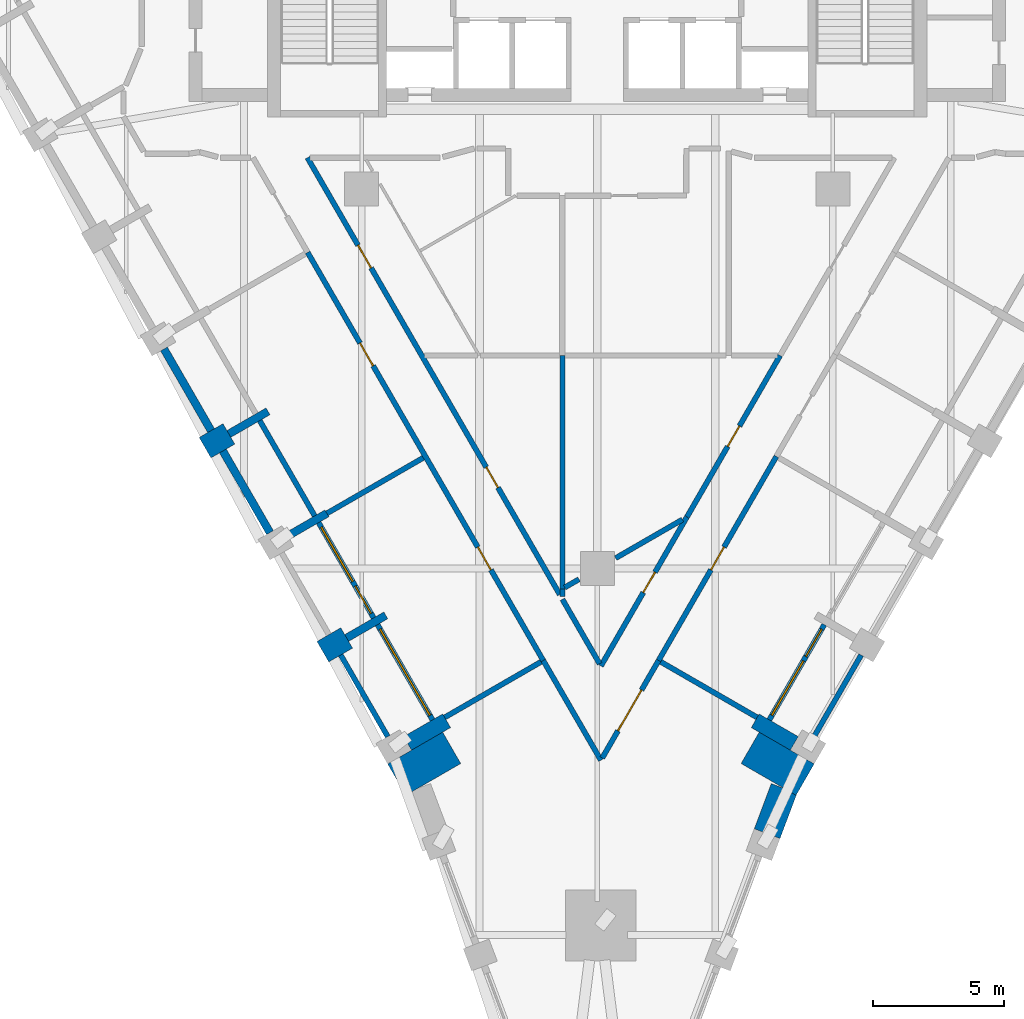
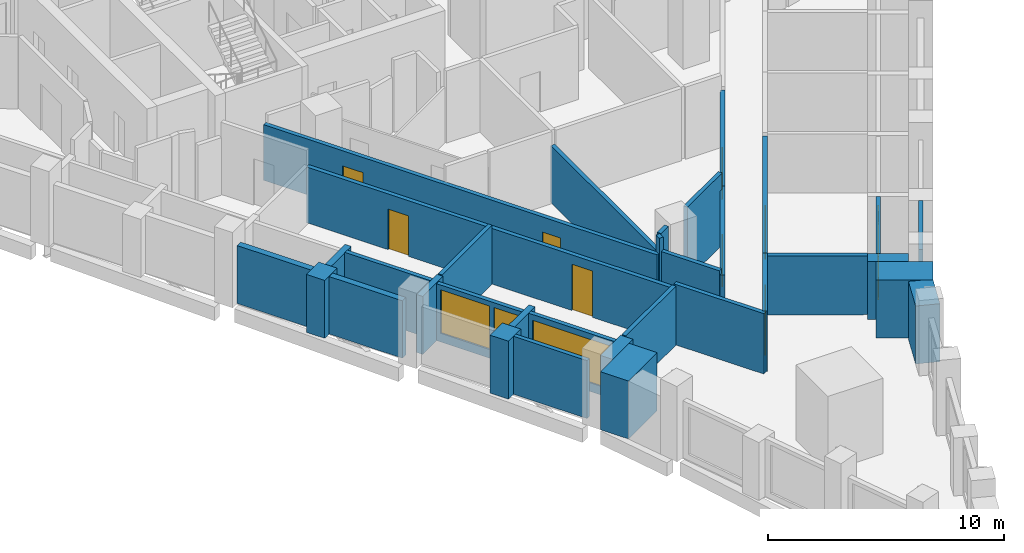
# One storey, part 3 of 10: 33 walls, 10 doors, 3 windows, 13 openings.
"""IFC4 building model written with IfcOpenShell, lengths in metres."""

from ifc_helpers import new_model, si_unit, direction, frame, frame_2d, origin, place, context, subcontext, project, spatial, polyline, rectangle, outline, extrude, material, layer, layer_set, type_object, element, fill, save


model = new_model("IFC4")

# Units and contexts
model_context = context("Model", 3, precision=1e-05, world=origin(), true_north=direction((0.0, 1.0)))
body_context = subcontext(model_context, "Body", "Model", "MODEL_VIEW")
ifc_project = project(units=[si_unit("LENGTHUNIT", "METRE"), si_unit("AREAUNIT", "SQUARE_METRE"), si_unit("VOLUMEUNIT", "CUBIC_METRE"), si_unit("PLANEANGLEUNIT", "RADIAN"), si_unit("MASSUNIT", "GRAM", prefix="KILO")], contexts=[model_context])

# Site, building, storey
site_placement = place(None, origin())
site = spatial("IfcSite", under=ifc_project, at=site_placement, CompositionType="ELEMENT")
building_placement = place(site_placement, origin())
building = spatial("IfcBuilding", under=site, at=building_placement, Name="Calabash Gate Tower", CompositionType="ELEMENT")
storey_placement = place(building_placement, frame((0.0, 0.0, 164.10009765625)))
storey = spatial("IfcBuildingStorey", under=building, at=storey_placement, Name="L38", CompositionType="ELEMENT", Elevation=164.10009765625)

# Walls
ifc_material_1 = material(Name="Terracotta brick masonry, exposed face", Category="masonry")
ifc_layer_1 = layer(ifc_material_1, 2.425048828125)
ifc_layer_set_1 = layer_set([ifc_layer_1], Name="Brick corner mass wall 2425")
wall_type_1 = type_object("IfcWallType", Name="Brick corner mass wall 2425", PredefinedType="SOLIDWALL", material=ifc_layer_set_1)
for number, where, z_axis, x_axis, name in (
    (1, (-5.56298828125, -18.843994140625, 0.0), (0.0, 0.0, 1.0), (-0.865997808697, -0.500047793048, 0.0), "Brick corner pier S10 1"),
    (2, (5.837890625, -18.843994140625, 0.0), (0.0, 0.0, 1.0), (0.865997808697, -0.500047793048, 0.0), "Brick corner pier S10 2"),
):
    element("IfcWall", number, at=place(storey_placement, frame(where, z_axis=z_axis, x_axis=x_axis)), inside=storey, type_object=wall_type_1, Name=name, PredefinedType="SOLIDWALL", context=body_context, shape_type="SweptSolid", body=[
        extrude(rectangle(XDim=2.425048828125, YDim=1.383544921875, at=frame_2d((1.21240234375, 0.0))), origin(), (0.0, 0.0, 1.0), 3.0),
    ])
ifc_material_2 = material(Name="Terracotta brick masonry, exposed face", Category="masonry")
ifc_layer_2 = layer(ifc_material_2, 1.050048828125)
ifc_layer_set_2 = layer_set([ifc_layer_2], Name="Brick end wall 1050")
wall_type_2 = type_object("IfcWallType", Name="Brick end wall 1050", PredefinedType="SOLIDWALL", material=ifc_layer_set_2)
for number, where, z_axis, x_axis, name in (
    (3, (-14.98388671875, -7.37646484375, 0.0), (0.0, 0.0, 1.0), (0.866030680601, 0.499990860175, 0.0), "Brick pier S10 SW0.5"),
    (4, (-10.48388671875, -15.170654296875, 0.0), (0.0, 0.0, 1.0), (0.866030680601, 0.499990860175, 0.0), "Brick pier S10 SW0.7"),
):
    element("IfcWall", number, at=place(storey_placement, frame(where, z_axis=z_axis, x_axis=x_axis)), inside=storey, type_object=wall_type_2, Name=name, PredefinedType="SOLIDWALL", context=body_context, shape_type="SweptSolid", body=[
        extrude(rectangle(XDim=1.0498046875, YDim=0.89990234375, at=frame_2d((0.52490234375, 0.0))), origin(), (0.0, 0.0, 1.0), 3.0),
    ])
wall_1_placement = place(storey_placement, origin())
element("IfcWall", 5, at=wall_1_placement, inside=storey, type_object=wall_type_2, Name="Brick end wall S10 3", PredefinedType="SOLIDWALL", context=body_context, shape_type="SweptSolid", body=[
    extrude(outline(polyline([(6.978759765625, -22.307373046875), (6.978515625, -22.307861328125), (6.978759765625, -22.307861328125), (7.61376953125, -20.618408203125), (7.592041015625, -20.65576171875), (7.137451171875, -20.393310546875), (6.64599609375, -20.20849609375), (5.995849609375, -21.93798828125), (6.978759765625, -22.307373046875)])), origin(), (0.0, 0.0, 1.0), 3.0),
])
ifc_material_3 = material(Name="Terracotta brick masonry, exposed face", Category="masonry")
ifc_layer_3 = layer(ifc_material_3, 0.300048828125)
ifc_layer_set_3 = layer_set([ifc_layer_3], Name="Brick infill panel wall 300")
wall_type_3 = type_object("IfcWallType", Name="Brick infill panel wall 300", PredefinedType="SOLIDWALL", material=ifc_layer_set_3)
wall_2_placement = place(storey_placement, frame((-16.55419921875, -3.6064453125, 0.0), z_axis=(0.0, 0.0, 1.0), x_axis=(0.499931829785, -0.866064758299, 0.0)))
element("IfcWall", 6, at=wall_2_placement, inside=storey, type_object=wall_type_3, Name="Brick panel S10 SW0.5", PredefinedType="SOLIDWALL", context=body_context, shape_type="SweptSolid", body=[
    extrude(rectangle(XDim=3.60009765625, YDim=0.300048828125, at=frame_2d((1.800048828125, 0.0))), origin(), (0.0, 0.0, 1.0), 3.0),
])
wall_3_placement = place(storey_placement, frame((-14.30419921875, -7.503662109375, 0.0), z_axis=(0.0, 0.0, 1.0), x_axis=(0.499961193289, -0.866047807691, 0.0)))
element("IfcWall", 7, at=wall_3_placement, inside=storey, type_object=wall_type_3, Name="Brick panel S10 SW0.6", PredefinedType="SOLIDWALL", context=body_context, shape_type="SweptSolid", body=[
    extrude(rectangle(XDim=3.599853515625, YDim=0.300048828125, at=frame_2d((1.7998046875, 0.0))), origin(), (0.0, 0.0, 1.0), 2.973388671875),
])
ifc_material_4 = material(Name="Terracotta brick masonry, exposed face", Category="masonry")
ifc_layer_4 = layer(ifc_material_4, 0.300048828125)
ifc_layer_set_4 = layer_set([ifc_layer_4], Name="Brick loggia cheek wall 300")
wall_type_4 = type_object("IfcWallType", Name="Brick loggia cheek wall 300", PredefinedType="SOLIDWALL", material=ifc_layer_set_4)
wall_4_placement = place(storey_placement, frame((-14.07470703125, -6.8515625, 0.0), z_axis=(0.0, 0.0, 1.0), x_axis=(0.866013532718, 0.500020560727, 0.0)))
element("IfcWall", 8, at=wall_4_placement, inside=storey, type_object=wall_type_4, Name="Loggia cheek S10 SW0.5", PredefinedType="SOLIDWALL", context=body_context, shape_type="SweptSolid", body=[
    extrude(rectangle(XDim=1.72509765625, YDim=0.300048828125, at=frame_2d((0.862548828125, 0.0))), origin(), (0.0, 0.0, 1.0), 2.973388671875),
])
wall_5_placement = place(storey_placement, frame((-10.330810546875, -9.885986328125, 0.0), z_axis=(0.0, 0.0, 1.0), x_axis=(-0.86597814115, -0.500081852351, 0.0)))
element("IfcWall", 9, at=wall_5_placement, inside=storey, type_object=wall_type_4, Name="Loggia cheek S10 SW0.6", PredefinedType="SOLIDWALL", context=body_context, shape_type="SweptSolid", body=[
    extrude(rectangle(XDim=1.724853515625, YDim=0.300048828125, at=frame_2d((0.8623046875, 0.0))), origin(), (0.0, 0.0, 1.0), 3.0),
])
wall_6_placement = place(storey_placement, frame((-9.57470703125, -14.645751953125, 0.0), z_axis=(0.0, 0.0, 1.0), x_axis=(0.866013532718, 0.500020560727, 0.0)))
element("IfcWall", 10, at=wall_6_placement, inside=storey, type_object=wall_type_4, Name="Loggia cheek S10 SW0.7", PredefinedType="SOLIDWALL", context=body_context, shape_type="SweptSolid", body=[
    extrude(rectangle(XDim=1.72509765625, YDim=0.300048828125, at=frame_2d((0.862548828125, 0.0))), origin(), (0.0, 0.0, 1.0), 3.0),
])
for number, where, z_axis, x_axis, name in (
    (11, (-5.755859375, -17.810302734375, 0.0), (0.0, 0.0, 1.0), (-0.866074815912, -0.499914405916, 0.0), "Loggia cheek S10 SW0.8"),
    (12, (7.524658203125, -18.672607421875, 0.0), (0.0, 0.0, 1.0), (-0.866074815912, 0.499914405916, 0.0), "Loggia cheek S10 SE4.0"),
):
    element("IfcWall", number, at=place(storey_placement, frame(where, z_axis=z_axis, x_axis=x_axis)), inside=storey, type_object=wall_type_4, Name=name, PredefinedType="SOLIDWALL", context=body_context, shape_type="SweptSolid", body=[
        extrude(rectangle(XDim=1.724853515625, YDim=0.60009765625, at=frame_2d((0.8623046875, 0.0))), origin(), (0.0, 0.0, 1.0), 3.0),
    ])
ifc_material_5 = material(Name="Gypsum board on steel studs, mineral wool", Category="steel")
ifc_layer_5 = layer(ifc_material_5, 0.199951171875)
ifc_layer_set_5 = layer_set([ifc_layer_5], Name="Partition 200 gypsum board EI 60")
wall_type_5 = type_object("IfcWallType", Name="Partition 200 gypsum board EI 60", PredefinedType="PARTITIONING", material=ifc_layer_set_5)
wall_7_placement = place(storey_placement, frame((-2.06494140625, -15.506591796875, 0.0), z_axis=(0.0, 0.0, 1.0), x_axis=(0.500349665943, -0.865823429916, 0.0)))
element("IfcWall", 13, at=wall_7_placement, inside=storey, type_object=wall_type_5, Name="Partition", PredefinedType="PARTITIONING", context=body_context, shape_type="SweptSolid", body=[
    extrude(rectangle(XDim=4.402099609375, YDim=0.199951171875, at=frame_2d((2.201171875, 0.0))), origin(), (0.0, 0.0, 1.0), 3.1279296875),
])
wall_8_placement = place(storey_placement, frame((2.424560546875, -15.557373046875, 0.0), z_axis=(0.0, 0.0, 1.0), x_axis=(0.866217148336, -0.499667741532, 0.0)))
element("IfcWall", 14, at=wall_8_placement, inside=storey, type_object=wall_type_5, Name="Partition", PredefinedType="PARTITIONING", context=body_context, shape_type="SweptSolid", body=[
    extrude(rectangle(XDim=4.24951171875, YDim=0.199951171875, at=frame_2d((2.124755859375, 0.0))), origin(), (0.0, 0.0, 1.0), 3.0517578125),
])

# Wall, opening, door
wall_9_placement = place(storey_placement, frame((0.137451171875, -15.71728515625, 0.0), z_axis=(0.0, 0.0, 1.0), x_axis=(0.499742818956, 0.866173836422, 0.0)))
wall_9 = element("IfcWall", 15, at=wall_9_placement, inside=storey, type_object=wall_type_5, Name="Partition", PredefinedType="PARTITIONING", context=body_context, shape_type="SweptSolid", body=[
    extrude(rectangle(XDim=6.57275390625, YDim=0.199951171875, at=frame_2d((3.286376953125, 0.0))), origin(), (0.0, 0.0, 1.0), 2.884033203125),
])
opening_1_placement = place(wall_9_placement, frame((3.23779296875, 0.0, 0.0)))
opening_1 = element("IfcOpeningElement", 16, at=opening_1_placement, cuts=wall_9, Name="Opening 36-38-009", PredefinedType="OPENING", context=body_context, shape_type="SweptSolid", body=[
    extrude(rectangle(XDim=0.89990234375, YDim=2.10009765625, at=frame_2d((0.449951171875, 1.050048828125))), frame((0.0, 0.10986328125, 0.0), z_axis=(0.0, -1.0, 0.0), x_axis=(1.0, 0.0, 0.0)), (0.0, 0.0, 1.0), 0.219970703125),
])
ifc_material_6 = material(Name="Steel fire door set with fire-resisting glazing", Category="steel")
door_type_1 = type_object("IfcDoorType", Name="SD3 Store door 900x2100", OperationType="NOTDEFINED", PredefinedType="DOOR", material=ifc_material_6)
door_1_placement = place(opening_1_placement, origin())
door_1 = element("IfcDoor", 17, at=door_1_placement, inside=storey, type_object=door_type_1, Name="Store door", OperationType="SINGLE_SWING_RIGHT", OverallHeight=2.10009765625, OverallWidth=0.89990234375, PredefinedType="DOOR", context=body_context, shape_type="SweptSolid", body=[
    extrude(rectangle(XDim=0.89990234375, YDim=2.10009765625, at=frame_2d((0.449951171875, 1.050048828125))), frame((0.0, 0.02490234375, 0.0), z_axis=(0.0, -1.0, 0.0), x_axis=(1.0, 0.0, 0.0)), (0.0, 0.0, 1.0), 0.050048828125),
])
fill(opening_1, door_1)

# Wall
wall_10_placement = place(storey_placement, frame((-5.83056640625, -17.6806640625, 0.0), z_axis=(0.0, 0.0, 1.0), x_axis=(0.866217148336, 0.499667741532, 0.0)))
element("IfcWall", 18, at=wall_10_placement, inside=storey, type_object=wall_type_5, Name="Partition", PredefinedType="PARTITIONING", context=body_context, shape_type="SweptSolid", body=[
    extrude(rectangle(XDim=4.24951171875, YDim=0.199951171875, at=frame_2d((2.124755859375, 0.0))), origin(), (0.0, 0.0, 1.0), 3.0517578125),
])

# Wall, openings, doors
wall_11_placement = place(storey_placement, frame((-11.065185546875, 0.082275390625, 0.0), z_axis=(0.0, 0.0, 1.0), x_axis=(0.499996012009, -0.86602770624, 0.0)))
wall_11 = element("IfcWall", 19, at=wall_11_placement, inside=storey, type_object=wall_type_5, Name="Partition", PredefinedType="PARTITIONING", context=body_context, shape_type="SweptSolid", body=[
    extrude(rectangle(XDim=18.000244140625, YDim=0.199951171875, at=frame_2d((9.0, 0.0))), origin(), (0.0, 0.0, 1.0), 2.884033203125),
])
opening_2_placement = place(wall_11_placement, frame((4.0, 0.0, 0.0)))
opening_2 = element("IfcOpeningElement", 20, at=opening_2_placement, cuts=wall_11, Name="Opening 36-38-001", PredefinedType="OPENING", context=body_context, shape_type="SweptSolid", body=[
    extrude(rectangle(XDim=1.0, YDim=2.10009765625, at=frame_2d((0.5, 1.050048828125))), frame((0.0, 0.10986328125, 0.0), z_axis=(0.0, -1.0, 0.0), x_axis=(1.0, 0.0, 0.0)), (0.0, 0.0, 1.0), 0.219970703125),
])
opening_3_placement = place(wall_11_placement, frame((13.000244140625, 0.0, 0.0)))
opening_3 = element("IfcOpeningElement", 21, at=opening_3_placement, cuts=wall_11, Name="Opening 36-38-002", PredefinedType="OPENING", context=body_context, shape_type="SweptSolid", body=[
    extrude(rectangle(XDim=1.0, YDim=2.39990234375, at=frame_2d((0.5, 1.199951171875))), frame((0.0, 0.10986328125, 0.0), z_axis=(0.0, -1.0, 0.0), x_axis=(1.0, 0.0, 0.0)), (0.0, 0.0, 1.0), 0.219970703125),
])
ifc_material_7 = material(Name="Steel fire door set with fire-resisting glazing", Category="steel")
door_type_2 = type_object("IfcDoorType", Name="LD2 Meeting room door 1000x2100", OperationType="NOTDEFINED", PredefinedType="DOOR", material=ifc_material_7)
door_2_placement = place(opening_2_placement, origin())
door_2 = element("IfcDoor", 22, at=door_2_placement, inside=storey, type_object=door_type_2, Name="Meeting room door", OperationType="SINGLE_SWING_LEFT", OverallHeight=2.10009765625, OverallWidth=1.0, PredefinedType="DOOR", context=body_context, shape_type="SweptSolid", body=[
    extrude(rectangle(XDim=1.0, YDim=2.10009765625, at=frame_2d((0.5, 1.050048828125))), frame((0.0, 0.02490234375, 0.0), z_axis=(0.0, -1.0, 0.0), x_axis=(1.0, 0.0, 0.0)), (0.0, 0.0, 1.0), 0.050048828125),
])
fill(opening_2, door_2)
ifc_material_8 = material(Name="Painted timber door", Category="wood")
door_type_3 = type_object("IfcDoorType", Name="OD2 Glazed office door 1000x2400", OperationType="NOTDEFINED", PredefinedType="DOOR", material=ifc_material_8)
door_3_placement = place(opening_3_placement, origin())
door_3 = element("IfcDoor", 23, at=door_3_placement, inside=storey, type_object=door_type_3, Name="Glazed office door", OperationType="SINGLE_SWING_LEFT", OverallHeight=2.39990234375, OverallWidth=1.0, PredefinedType="DOOR", context=body_context, shape_type="SweptSolid", body=[
    extrude(rectangle(XDim=1.0, YDim=2.39990234375, at=frame_2d((0.5, 1.199951171875))), frame((0.0, 0.02490234375, 0.0), z_axis=(0.0, -1.0, 0.0), x_axis=(1.0, 0.0, 0.0)), (0.0, 0.0, 1.0), 0.050048828125),
])
fill(opening_3, door_3)

# Wall, opening, door
wall_12_placement = place(storey_placement, frame((0.187744140625, -19.2314453125, 0.0), z_axis=(0.0, 0.0, 1.0), x_axis=(0.500313526201, 0.865844313662, 0.0)))
wall_12 = element("IfcWall", 24, at=wall_12_placement, inside=storey, type_object=wall_type_5, Name="Partition", PredefinedType="PARTITIONING", context=body_context, shape_type="SweptSolid", body=[
    extrude(rectangle(XDim=4.302001953125, YDim=0.199951171875, at=frame_2d((2.15087890625, 0.0))), origin(), (0.0, 0.0, 1.0), 3.1279296875),
])
opening_4_placement = place(wall_12_placement, frame((1.200927734375, 0.0, 0.0)))
opening_4 = element("IfcOpeningElement", 25, at=opening_4_placement, cuts=wall_12, Name="Opening 36-38-015", PredefinedType="OPENING", context=body_context, shape_type="SweptSolid", body=[
    extrude(rectangle(XDim=1.800048828125, YDim=2.39990234375, at=frame_2d((0.89990234375, 1.199951171875))), frame((0.0, 0.10986328125, 0.0), z_axis=(0.0, -1.0, 0.0), x_axis=(1.0, 0.0, 0.0)), (0.0, 0.0, 1.0), 0.219970703125),
])
ifc_material_9 = material(Name="Steel fire door set with fire-resisting glazing", Category="steel")
door_type_4 = type_object("IfcDoorType", Name="OD5 Open office double door 1800x2400", OperationType="NOTDEFINED", PredefinedType="DOOR", material=ifc_material_9)
door_4_placement = place(opening_4_placement, origin())
door_4 = element("IfcDoor", 26, at=door_4_placement, inside=storey, type_object=door_type_4, Name="Open office double door", OperationType="DOUBLE_DOOR_SINGLE_SWING", OverallHeight=2.39990234375, OverallWidth=1.800048828125, PredefinedType="DOOR", context=body_context, shape_type="SweptSolid", body=[
    extrude(rectangle(XDim=1.800048828125, YDim=2.39990234375, at=frame_2d((0.89990234375, 1.199951171875))), frame((0.0, 0.02490234375, 0.0), z_axis=(0.0, -1.0, 0.0), x_axis=(1.0, 0.0, 0.0)), (0.0, 0.0, 1.0), 0.050048828125),
])
fill(opening_4, door_4)

# Walls
wall_13_placement = place(storey_placement, frame((-1.33349609375, -13.16943359375, 0.0), z_axis=(0.0, 0.0, 1.0), x_axis=(0.499982728352, -0.866035375346, 0.0)))
element("IfcWall", 27, at=wall_13_placement, inside=storey, type_object=wall_type_5, Name="Partition", PredefinedType="PARTITIONING", context=body_context, shape_type="SweptSolid", body=[
    extrude(rectangle(XDim=2.841796875, YDim=0.199951171875, at=frame_2d((1.4208984375, 0.0))), origin(), (0.0, 0.0, 1.0), 3.1279296875),
])
wall_14_placement = place(storey_placement, frame((-1.3330078125, -13.069580078125, 0.0), z_axis=(0.0, 0.0, 1.0), x_axis=(0.004870072116, 0.999988141128, 0.0)))
element("IfcWall", 28, at=wall_14_placement, inside=storey, type_object=wall_type_5, Name="Partition", PredefinedType="PARTITIONING", context=body_context, shape_type="SweptSolid", body=[
    extrude(rectangle(XDim=0.30078125, YDim=0.199951171875, at=frame_2d((0.150390625, 0.0))), origin(), (0.0, 0.0, 1.0), 3.72998046875),
])
wall_15_placement = place(storey_placement, frame((-1.244873046875, -12.716796875, 0.0), z_axis=(0.0, 0.0, 1.0), x_axis=(0.867141243483, 0.498062309205, 0.0)))
element("IfcWall", 29, at=wall_15_placement, inside=storey, type_object=wall_type_5, Name="Partition", PredefinedType="PARTITIONING", context=body_context, shape_type="SweptSolid", body=[
    extrude(rectangle(XDim=0.62841796875, YDim=0.199951171875, at=frame_2d((0.314208984375, 0.0))), origin(), (0.0, 0.0, 1.0), 3.72998046875),
])
wall_16_placement = place(storey_placement, frame((0.699951171875, -11.595703125, 0.0), z_axis=(0.0, 0.0, 1.0), x_axis=(0.866014325049, 0.500019188443, 0.0)))
element("IfcWall", 30, at=wall_16_placement, inside=storey, type_object=wall_type_5, Name="Partition", PredefinedType="PARTITIONING", context=body_context, shape_type="SweptSolid", body=[
    extrude(rectangle(XDim=2.94384765625, YDim=0.199951171875, at=frame_2d((1.471923828125, 0.0))), origin(), (0.0, 0.0, 1.0), 3.72998046875),
])

# Wall, opening, door
wall_17_placement = place(storey_placement, frame((3.425537109375, -10.02197265625, 0.0), z_axis=(0.0, 0.0, 1.0), x_axis=(0.499791742778, 0.866145607765, 0.0)))
wall_17 = element("IfcWall", 31, at=wall_17_placement, inside=storey, type_object=wall_type_5, Name="Partition", PredefinedType="PARTITIONING", context=body_context, shape_type="SweptSolid", body=[
    extrude(rectangle(XDim=7.1171875, YDim=0.199951171875, at=frame_2d((3.55859375, 0.0))), origin(), (0.0, 0.0, 1.0), 2.884033203125),
])
opening_5_placement = place(wall_17_placement, frame((3.110107421875, 0.0, 0.0)))
opening_5 = element("IfcOpeningElement", 32, at=opening_5_placement, cuts=wall_17, Name="Opening 36-38-010", PredefinedType="OPENING", context=body_context, shape_type="SweptSolid", body=[
    extrude(rectangle(XDim=0.89990234375, YDim=2.10009765625, at=frame_2d((0.449951171875, 1.050048828125))), frame((0.0, 0.10986328125, 0.0), z_axis=(0.0, -1.0, 0.0), x_axis=(1.0, 0.0, 0.0)), (0.0, 0.0, 1.0), 0.219970703125),
])
door_5_placement = place(opening_5_placement, origin())
door_5 = element("IfcDoor", 33, at=door_5_placement, inside=storey, type_object=door_type_1, Name="Store door", OperationType="SINGLE_SWING_RIGHT", OverallHeight=2.10009765625, OverallWidth=0.89990234375, PredefinedType="DOOR", context=body_context, shape_type="SweptSolid", body=[
    extrude(rectangle(XDim=0.89990234375, YDim=2.10009765625, at=frame_2d((0.449951171875, 1.050048828125))), frame((0.0, 0.02490234375, 0.0), z_axis=(0.0, -1.0, 0.0), x_axis=(1.0, 0.0, 0.0)), (0.0, 0.0, 1.0), 0.050048828125),
])
fill(opening_5, door_5)

# Wall
wall_18_placement = place(storey_placement, frame((-10.330810546875, -9.88623046875, 0.0), z_axis=(0.0, 0.0, 1.0), x_axis=(0.866245832331, 0.499618012055, 0.0)))
element("IfcWall", 34, at=wall_18_placement, inside=storey, type_object=wall_type_5, Name="Partition", PredefinedType="PARTITIONING", context=body_context, shape_type="SweptSolid", body=[
    extrude(rectangle(XDim=4.249755859375, YDim=0.199951171875, at=frame_2d((2.125, 0.0))), origin(), (0.0, 0.0, 1.0), 3.0517578125),
])

# Wall, opening, door
wall_19_placement = place(storey_placement, frame((2.340087890625, -15.50634765625, 0.0), z_axis=(0.0, 0.0, 1.0), x_axis=(0.5000018851, 0.866024315419, 0.0)))
wall_19 = element("IfcWall", 35, at=wall_19_placement, inside=storey, type_object=wall_type_5, Name="Partition", PredefinedType="PARTITIONING", context=body_context, shape_type="SweptSolid", body=[
    extrude(rectangle(XDim=9.0, YDim=0.199951171875, at=frame_2d((4.5, 0.0))), origin(), (0.0, 0.0, 1.0), 2.884033203125),
])
opening_6_placement = place(wall_19_placement, frame((4.0, 0.0, 0.0)))
opening_6 = element("IfcOpeningElement", 36, at=opening_6_placement, cuts=wall_19, Name="Opening 36-38-003", PredefinedType="OPENING", context=body_context, shape_type="SweptSolid", body=[
    extrude(rectangle(XDim=1.0, YDim=2.10009765625, at=frame_2d((0.5, 1.050048828125))), frame((0.0, 0.10986328125, 0.0), z_axis=(0.0, -1.0, 0.0), x_axis=(1.0, 0.0, 0.0)), (0.0, 0.0, 1.0), 0.219970703125),
])
door_6_placement = place(opening_6_placement, origin())
door_6 = element("IfcDoor", 37, at=door_6_placement, inside=storey, type_object=door_type_2, Name="Meeting room door", OperationType="SINGLE_SWING_RIGHT", OverallHeight=2.10009765625, OverallWidth=1.0, PredefinedType="DOOR", context=body_context, shape_type="SweptSolid", body=[
    extrude(rectangle(XDim=1.0, YDim=2.10009765625, at=frame_2d((0.5, 1.050048828125))), frame((0.0, 0.02490234375, 0.0), z_axis=(0.0, -1.0, 0.0), x_axis=(1.0, 0.0, 0.0)), (0.0, 0.0, 1.0), 0.050048828125),
])
fill(opening_6, door_6)

# Wall
wall_20_placement = place(storey_placement, frame((-1.33154296875, -12.7666015625, 0.0), z_axis=(0.0, 0.0, 1.0), x_axis=(0.0, 1.0, 0.0)))
element("IfcWall", 38, at=wall_20_placement, inside=storey, type_object=wall_type_5, Name="Partition", PredefinedType="PARTITIONING", context=body_context, shape_type="SweptSolid", body=[
    extrude(rectangle(XDim=8.9091796875, YDim=0.199951171875, at=frame_2d((4.45458984375, 0.0))), origin(), (0.0, 0.0, 1.0), 2.949951171875),
])

# Wall, openings, doors
wall_21_placement = place(storey_placement, frame((-11.072998046875, 3.69970703125, 0.0), z_axis=(0.0, 0.0, 1.0), x_axis=(0.50018368245, -0.865919328697, 0.0)))
wall_21 = element("IfcWall", 39, at=wall_21_placement, inside=storey, type_object=wall_type_5, Name="Partition", PredefinedType="PARTITIONING", context=body_context, shape_type="SweptSolid", body=[
    extrude(rectangle(XDim=19.273681640625, YDim=0.199951171875, at=frame_2d((9.63671875, 0.0))), origin(), (0.0, 0.0, 1.0), 2.884033203125),
])
opening_7_placement = place(wall_21_placement, frame((13.6513671875, 0.0, 0.0)))
opening_7 = element("IfcOpeningElement", 40, at=opening_7_placement, cuts=wall_21, Name="Opening 36-38-008", PredefinedType="OPENING", context=body_context, shape_type="SweptSolid", body=[
    extrude(rectangle(XDim=0.89990234375, YDim=2.10009765625, at=frame_2d((0.449951171875, 1.050048828125))), frame((0.0, 0.10986328125, 0.0), z_axis=(0.0, -1.0, 0.0), x_axis=(1.0, 0.0, 0.0)), (0.0, 0.0, 1.0), 0.219970703125),
])
opening_8_placement = place(wall_21_placement, frame((3.862060546875, 0.0, 0.0)))
opening_8 = element("IfcOpeningElement", 41, at=opening_8_placement, cuts=wall_21, Name="Opening 36-38-016", PredefinedType="OPENING", context=body_context, shape_type="SweptSolid", body=[
    extrude(rectangle(XDim=1.0, YDim=2.10009765625, at=frame_2d((0.5, 1.050048828125))), frame((0.0, 0.10986328125, 0.0), z_axis=(0.0, -1.0, 0.0), x_axis=(1.0, 0.0, 0.0)), (0.0, 0.0, 1.0), 0.219970703125),
])
door_7_placement = place(opening_7_placement, origin())
door_7 = element("IfcDoor", 42, at=door_7_placement, inside=storey, type_object=door_type_1, Name="Store door", OperationType="SINGLE_SWING_RIGHT", OverallHeight=2.10009765625, OverallWidth=0.89990234375, PredefinedType="DOOR", context=body_context, shape_type="SweptSolid", body=[
    extrude(rectangle(XDim=0.89990234375, YDim=2.10009765625, at=frame_2d((0.449951171875, 1.050048828125))), frame((0.0, 0.02490234375, 0.0), z_axis=(0.0, -1.0, 0.0), x_axis=(1.0, 0.0, 0.0)), (0.0, 0.0, 1.0), 0.050048828125),
])
fill(opening_7, door_7)
ifc_material_10 = material(Name="Steel fire door set with fire-resisting glazing", Category="steel")
door_type_5 = type_object("IfcDoorType", Name="WD3 WC lobby door 1000x2100", OperationType="NOTDEFINED", PredefinedType="DOOR", material=ifc_material_10)
door_8_placement = place(opening_8_placement, origin())
door_8 = element("IfcDoor", 43, at=door_8_placement, inside=storey, type_object=door_type_5, Name="WC lobby door", OperationType="SINGLE_SWING_LEFT", OverallHeight=2.10009765625, OverallWidth=1.0, PredefinedType="DOOR", context=body_context, shape_type="SweptSolid", body=[
    extrude(rectangle(XDim=1.0, YDim=2.10009765625, at=frame_2d((0.5, 1.050048828125))), frame((0.0, 0.02490234375, 0.0), z_axis=(0.0, -1.0, 0.0), x_axis=(1.0, 0.0, 0.0)), (0.0, 0.0, 1.0), 0.050048828125),
])
fill(opening_8, door_8)

# Walls
ifc_material_11 = material(Name="Terracotta brick masonry, perforated", Category="masonry")
ifc_layer_6 = layer(ifc_material_11, 0.199951171875)
ifc_layer_set_6 = layer_set([ifc_layer_6], Name="Terracotta jaali screen B")
wall_type_6 = type_object("IfcWallType", Name="Terracotta jaali screen B", PredefinedType="SOLIDWALL", material=ifc_layer_set_6)
wall_22_placement = place(storey_placement, origin())
element("IfcWall", 44, at=wall_22_placement, inside=storey, type_object=wall_type_6, Name="SCREEN B S10 SW0.8", PredefinedType="SOLIDWALL", context=body_context, shape_type="SweptSolid", body=[
    extrude(outline(polyline([(-9.890869140625, -15.347900390625), (-8.091796875, -18.464111328125), (-7.918701171875, -18.364013671875), (-9.7177734375, -15.247802734375), (-9.890869140625, -15.347900390625)])), origin(), (0.0, 0.0, 1.0), 3.0),
])
wall_23_placement = place(storey_placement, origin())
element("IfcWall", 45, at=wall_23_placement, inside=storey, type_object=wall_type_6, Name="SCREEN B S10 SE4.1", PredefinedType="SOLIDWALL", context=body_context, shape_type="SweptSolid", body=[
    extrude(outline(polyline([(9.99267578125, -15.247802734375), (8.193603515625, -18.364013671875), (8.36669921875, -18.4638671875), (10.165771484375, -15.347900390625), (9.99267578125, -15.247802734375)])), origin(), (0.0, 0.0, 1.0), 3.0),
])
ifc_material_12 = material(Name="Aluminium framed window wall with insulated spandrel", Category="aluminium")
ifc_layer_7 = layer(ifc_material_12, 0.199951171875)
ifc_layer_set_7 = layer_set([ifc_layer_7], Name="Window wall 200")
wall_type_7 = type_object("IfcWallType", Name="Window wall 200", PredefinedType="ELEMENTEDWALL", material=ifc_layer_set_7)
wall_24_placement = place(storey_placement, frame((-12.8955078125, -6.34375, 0.0), z_axis=(0.0, 0.0, 1.0), x_axis=(0.500002543286, -0.866023935413, 0.0)))
element("IfcWall", 46, at=wall_24_placement, inside=storey, type_object=wall_type_7, Name="Window wall S10 SW0.6", PredefinedType="ELEMENTEDWALL", context=body_context, shape_type="SweptSolid", body=[
    extrude(rectangle(XDim=4.2001953125, YDim=0.199951171875, at=frame_2d((2.10009765625, 0.0))), origin(), (0.0, 0.0, 1.0), 3.0),
])

# Wall, openings, door, window
wall_25_placement = place(storey_placement, frame((-10.6455078125, -10.240966796875, 0.0), z_axis=(0.0, 0.0, 1.0), x_axis=(0.500027713859, -0.866009402589, 0.0)))
wall_25 = element("IfcWall", 47, at=wall_25_placement, inside=storey, type_object=wall_type_7, Name="Window wall S10 SW0.7", PredefinedType="ELEMENTEDWALL", context=body_context, shape_type="SweptSolid", body=[
    extrude(rectangle(XDim=4.199951171875, YDim=0.199951171875, at=frame_2d((2.10009765625, 0.0))), origin(), (0.0, 0.0, 1.0), 2.949951171875),
])
opening_9_placement = place(wall_25_placement, frame((0.199951171875, 0.0, 0.449951171875)))
opening_9 = element("IfcOpeningElement", 48, at=opening_9_placement, cuts=wall_25, Name="Opening OW1", PredefinedType="OPENING", context=body_context, shape_type="SweptSolid", body=[
    extrude(rectangle(XDim=2.39990234375, YDim=2.25, at=frame_2d((1.199951171875, 1.125))), frame((0.0, 0.10986328125, 0.0), z_axis=(0.0, -1.0, 0.0), x_axis=(1.0, 0.0, 0.0)), (0.0, 0.0, 1.0), 0.219970703125),
])
opening_10_placement = place(wall_25_placement, frame((2.800048828125, 0.0, 0.0)))
opening_10 = element("IfcOpeningElement", 49, at=opening_10_placement, cuts=wall_25, Name="Opening O2-023", PredefinedType="OPENING", context=body_context, shape_type="SweptSolid", body=[
    extrude(rectangle(XDim=1.199951171875, YDim=2.699951171875, at=frame_2d((0.60009765625, 1.35009765625))), frame((0.0, 0.10986328125, 0.0), z_axis=(0.0, -1.0, 0.0), x_axis=(1.0, 0.0, 0.0)), (0.0, 0.0, 1.0), 0.219970703125),
])
ifc_material_13 = material(Name="Anodised aluminium frame, bronze finish, impact-rated laminated clear glazing", Category="aluminium")
door_type_6 = type_object("IfcDoorType", Name="Loggia door DO1 1200x2700", OperationType="SLIDING_TO_LEFT", PredefinedType="DOOR", material=ifc_material_13)
door_9_placement = place(opening_10_placement, origin())
door_9 = element("IfcDoor", 50, at=door_9_placement, inside=storey, type_object=door_type_6, Name="Loggia door S10 SW0.7", OperationType="SINGLE_SWING_LEFT", OverallHeight=2.699951171875, OverallWidth=1.199951171875, PredefinedType="DOOR", context=body_context, shape_type="SweptSolid", body=[
    extrude(rectangle(XDim=1.199951171875, YDim=2.699951171875, at=frame_2d((0.60009765625, 1.35009765625))), frame((0.0, 0.02490234375, 0.0), z_axis=(0.0, -1.0, 0.0), x_axis=(1.0, 0.0, 0.0)), (0.0, 0.0, 1.0), 0.050048828125),
])
fill(opening_10, door_9)
ifc_material_14 = material(Name="Anodised aluminium frame, bronze finish, impact-rated laminated clear glazing", Category="aluminium")
window_type_1 = type_object("IfcWindowType", Name="Window OW1 2400x2250", PartitioningType="DOUBLE_PANEL_VERTICAL", PredefinedType="WINDOW", material=ifc_material_14)
window_1_placement = place(opening_9_placement, origin())
window_1 = element("IfcWindow", 51, at=window_1_placement, inside=storey, type_object=window_type_1, Name="Window OW1 S10 SW0.7", OverallHeight=2.25, OverallWidth=2.39990234375, PartitioningType="SINGLE_PANEL", PredefinedType="WINDOW", context=body_context, shape_type="SweptSolid", body=[
    extrude(rectangle(XDim=2.39990234375, YDim=2.25, at=frame_2d((1.199951171875, 1.125))), frame((0.0, 0.030029296875, 0.0), z_axis=(0.0, -1.0, 0.0), x_axis=(1.0, 0.0, 0.0)), (0.0, 0.0, 1.0), 0.06005859375),
])
fill(opening_9, window_1)

# Wall, opening, window
wall_26_placement = place(storey_placement, frame((-8.3955078125, -14.13818359375, 0.0), z_axis=(0.0, 0.0, 1.0), x_axis=(0.500027713859, -0.866009402589, 0.0)))
wall_26 = element("IfcWall", 52, at=wall_26_placement, inside=storey, type_object=wall_type_7, Name="Window wall S10 SW0.8", PredefinedType="ELEMENTEDWALL", context=body_context, shape_type="SweptSolid", body=[
    extrude(rectangle(XDim=4.199951171875, YDim=0.199951171875, at=frame_2d((2.10009765625, 0.0))), origin(), (0.0, 0.0, 1.0), 3.0),
])
opening_11_placement = place(wall_26_placement, frame((0.199951171875, 0.0, 0.449951171875)))
opening_11 = element("IfcOpeningElement", 53, at=opening_11_placement, cuts=wall_26, Name="Opening OW2", PredefinedType="OPENING", context=body_context, shape_type="SweptSolid", body=[
    extrude(rectangle(XDim=3.800048828125, YDim=2.25, at=frame_2d((1.89990234375, 1.125))), frame((0.0, 0.10986328125, 0.0), z_axis=(0.0, -1.0, 0.0), x_axis=(1.0, 0.0, 0.0)), (0.0, 0.0, 1.0), 0.219970703125),
])
ifc_material_15 = material(Name="Anodised aluminium frame, bronze finish, impact-rated laminated clear glazing", Category="aluminium")
window_type_2 = type_object("IfcWindowType", Name="Window OW2 3800x2250", PartitioningType="TRIPLE_PANEL_VERTICAL", PredefinedType="WINDOW", material=ifc_material_15)
window_2_placement = place(opening_11_placement, origin())
window_2 = element("IfcWindow", 54, at=window_2_placement, inside=storey, type_object=window_type_2, Name="Window OW2 S10 SW0.8", OverallHeight=2.25, OverallWidth=3.800048828125, PartitioningType="SINGLE_PANEL", PredefinedType="WINDOW", context=body_context, shape_type="SweptSolid", body=[
    extrude(rectangle(XDim=3.800048828125, YDim=2.25, at=frame_2d((1.89990234375, 1.125))), frame((0.0, 0.030029296875, 0.0), z_axis=(0.0, -1.0, 0.0), x_axis=(1.0, 0.0, 0.0)), (0.0, 0.0, 1.0), 0.06005859375),
])
fill(opening_11, window_2)

# Wall, openings, door, window
wall_27_placement = place(storey_placement, frame((6.5703125, -17.775390625, 0.0), z_axis=(0.0, 0.0, 1.0), x_axis=(0.500027713859, 0.866009402589, 0.0)))
wall_27 = element("IfcWall", 55, at=wall_27_placement, inside=storey, type_object=wall_type_7, Name="Window wall S10 SE4.1", PredefinedType="ELEMENTEDWALL", context=body_context, shape_type="SweptSolid", body=[
    extrude(rectangle(XDim=4.199951171875, YDim=0.199951171875, at=frame_2d((2.10009765625, 0.0))), origin(), (0.0, 0.0, 1.0), 3.0),
])
opening_12_placement = place(wall_27_placement, frame((0.199951171875, 0.0, 0.449951171875)))
opening_12 = element("IfcOpeningElement", 56, at=opening_12_placement, cuts=wall_27, Name="Opening OW1", PredefinedType="OPENING", context=body_context, shape_type="SweptSolid", body=[
    extrude(rectangle(XDim=2.39990234375, YDim=2.25, at=frame_2d((1.199951171875, 1.125))), frame((0.0, 0.10986328125, 0.0), z_axis=(0.0, -1.0, 0.0), x_axis=(1.0, 0.0, 0.0)), (0.0, 0.0, 1.0), 0.219970703125),
])
opening_13_placement = place(wall_27_placement, frame((2.800048828125, 0.0, 0.0)))
opening_13 = element("IfcOpeningElement", 57, at=opening_13_placement, cuts=wall_27, Name="Opening O2-021", PredefinedType="OPENING", context=body_context, shape_type="SweptSolid", body=[
    extrude(rectangle(XDim=1.199951171875, YDim=2.699951171875, at=frame_2d((0.60009765625, 1.35009765625))), frame((0.0, 0.10986328125, 0.0), z_axis=(0.0, -1.0, 0.0), x_axis=(1.0, 0.0, 0.0)), (0.0, 0.0, 1.0), 0.219970703125),
])
door_10_placement = place(opening_13_placement, origin())
door_10 = element("IfcDoor", 58, at=door_10_placement, inside=storey, type_object=door_type_6, Name="Loggia door S10 SE4.1", OperationType="SINGLE_SWING_LEFT", OverallHeight=2.699951171875, OverallWidth=1.199951171875, PredefinedType="DOOR", context=body_context, shape_type="SweptSolid", body=[
    extrude(rectangle(XDim=1.199951171875, YDim=2.699951171875, at=frame_2d((0.60009765625, 1.35009765625))), frame((0.0, 0.02490234375, 0.0), z_axis=(0.0, -1.0, 0.0), x_axis=(1.0, 0.0, 0.0)), (0.0, 0.0, 1.0), 0.050048828125),
])
fill(opening_13, door_10)
window_3_placement = place(opening_12_placement, origin())
window_3 = element("IfcWindow", 59, at=window_3_placement, inside=storey, type_object=window_type_1, Name="Window OW1 S10 SE4.1", OverallHeight=2.25, OverallWidth=2.39990234375, PartitioningType="SINGLE_PANEL", PredefinedType="WINDOW", context=body_context, shape_type="SweptSolid", body=[
    extrude(rectangle(XDim=2.39990234375, YDim=2.25, at=frame_2d((1.199951171875, 1.125))), frame((0.0, 0.030029296875, 0.0), z_axis=(0.0, -1.0, 0.0), x_axis=(1.0, 0.0, 0.0)), (0.0, 0.0, 1.0), 0.06005859375),
])
fill(opening_12, window_3)

save(model, "model.ifc")
